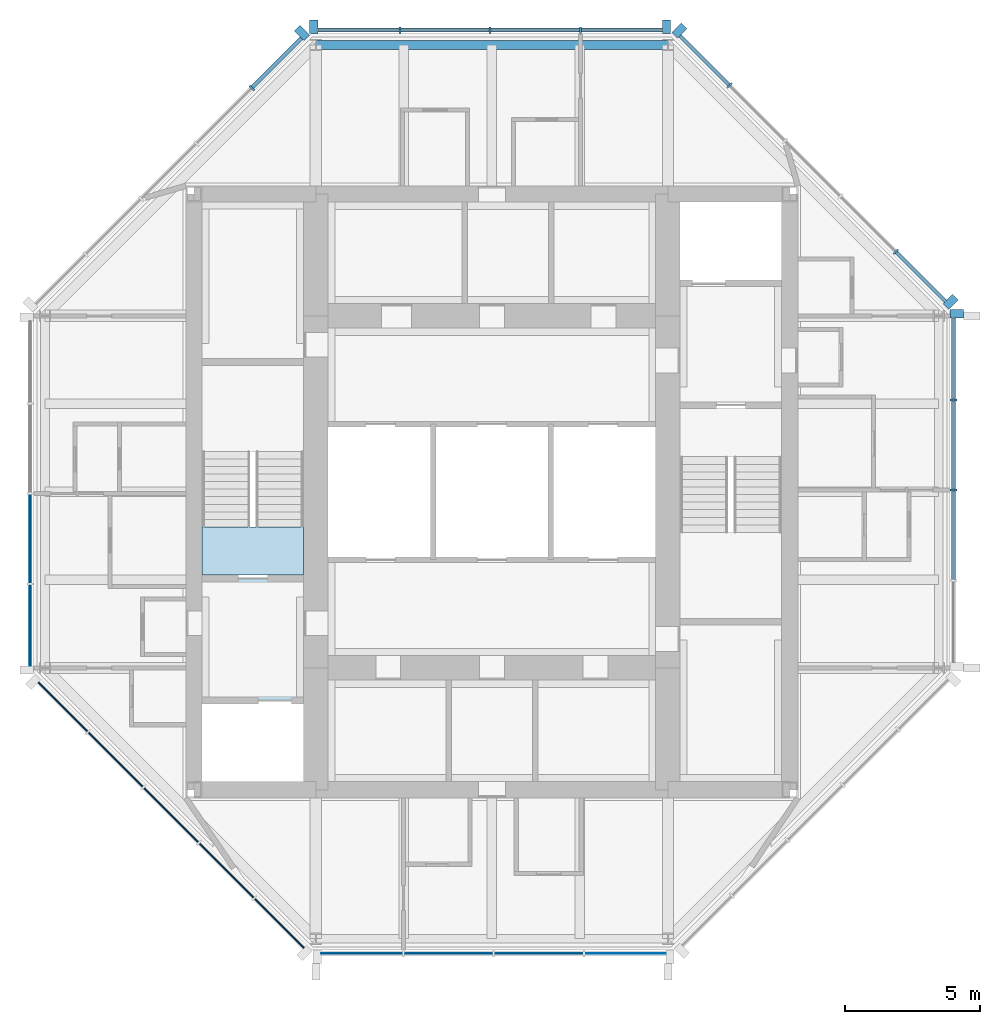
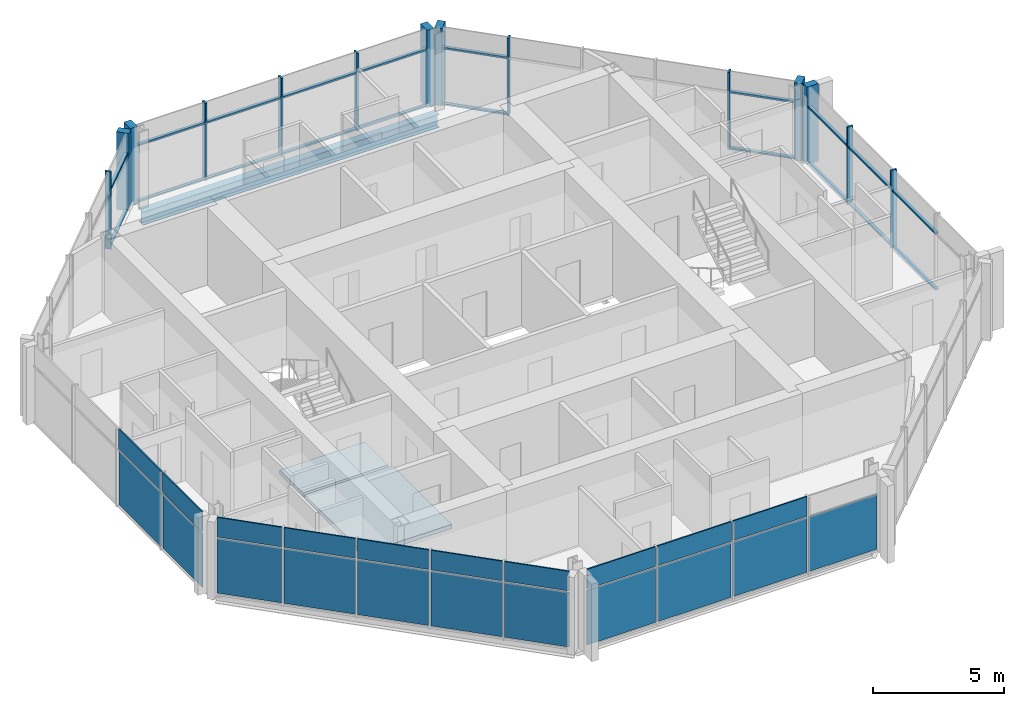
# One storey, part 3 of 9: 34 members, 21 plates, 2 slabs, 1 beam, 8 elements without a shape of their own.
"""IFC4 building model written with IfcOpenShell, lengths in metres."""

import ifcopenshell
import ifcopenshell.guid

model = None  # the IFC model being written
_history = None  # IfcOwnerHistory: only IFC2X3 demands one
_inside = {}  # id of a spatial element -> (the spatial element, [elements in it])
_under = {}  # id of a project, library or spatial element -> (it, [spatial elements below it])
_declared = {}  # id of a project -> (the project, [libraries it declares])
_typed = {}  # id of a type object -> (the type object, [elements of that type])
_made_of = {}  # id of a material, layer set ... -> (it, [elements and type objects made of it])


def new_model(schema):
    """Start an empty IFC model of exactly this schema.

    Asked for "IFC4X3", IfcOpenShell would pick the latest addendum, in which some entities
    have other attributes; the version numbers below select the first issue.
    IFC2X3 requires an IfcOwnerHistory on every rooted entity: one is made here for all.
    """
    global model, _history
    if schema == "IFC4X3":
        model = ifcopenshell.file(schema_version=(4, 3, 0, 0))
    else:
        model = ifcopenshell.file(schema=schema)
    _inside.clear()
    _under.clear()
    _declared.clear()
    _typed.clear()
    _made_of.clear()
    _history = None
    if model.schema == "IFC2X3":
        org = make("IfcOrganization", Name="unknown")
        user = make(
            "IfcPersonAndOrganization",
            ThePerson=make("IfcPerson", FamilyName="unknown"),
            TheOrganization=org,
        )
        app = make(
            "IfcApplication",
            ApplicationDeveloper=org,
            Version="unknown",
            ApplicationFullName="unknown",
            ApplicationIdentifier="unknown",
        )
        _history = make(
            "IfcOwnerHistory",
            OwningUser=user,
            OwningApplication=app,
            ChangeAction="ADDED",
            CreationDate=0,
        )
    return model


def make(cls, **values):
    """One entity of the class cls with the attributes given. An attribute that is None is left unset."""
    return model.create_entity(
        cls, **{name: value for name, value in values.items() if value is not None}
    )


def rooted(cls, **values):
    """An entity with a GlobalId (a new one), such as an element, a storey or a relation."""
    return make(cls, GlobalId=ifcopenshell.guid.new(), OwnerHistory=_history, **values)


def si_unit(unit_type, name, prefix=None):
    """IfcSIUnit, for example si_unit("LENGTHUNIT", "METRE", prefix="MILLI")."""
    return make("IfcSIUnit", UnitType=unit_type, Prefix=prefix, Name=name)


def assignment(units):
    """IfcUnitAssignment: the units of a project."""
    return None if units is None else make("IfcUnitAssignment", Units=units)


def point(xyz):
    """IfcCartesianPoint."""
    return None if xyz is None else make("IfcCartesianPoint", Coordinates=xyz)


def direction(xyz):
    """IfcDirection."""
    return None if xyz is None else make("IfcDirection", DirectionRatios=xyz)


def frame(location, z_axis=None, x_axis=None):
    """IfcAxis2Placement3D, a coordinate frame: its origin and axes. An axis left out is left unset."""
    return make(
        "IfcAxis2Placement3D",
        Location=point(location),
        Axis=direction(z_axis),
        RefDirection=direction(x_axis),
    )


def frame_2d(location, x_axis=None):
    """IfcAxis2Placement2D, a coordinate frame in the plane: its origin and x axis."""
    return make(
        "IfcAxis2Placement2D", Location=point(location), RefDirection=direction(x_axis)
    )


def origin():
    """The frame at (0, 0, 0) with its axes left unset."""
    return frame((0.0, 0.0, 0.0))


def origin_2d():
    """The frame at (0, 0) in the plane with its x axis left unset."""
    return frame_2d((0.0, 0.0))


def place(relative_to, where):
    """IfcLocalPlacement: puts the frame where relative to a parent placement (None: the world)."""
    return make(
        "IfcLocalPlacement", PlacementRelTo=relative_to, RelativePlacement=where
    )


def context(
    kind, dimensions, precision=None, world=None, true_north=None, identifier=None
):
    """IfcGeometricRepresentationContext, for example the 3D "Model" context."""
    return make(
        "IfcGeometricRepresentationContext",
        ContextIdentifier=identifier,
        ContextType=kind,
        CoordinateSpaceDimension=dimensions,
        Precision=precision,
        WorldCoordinateSystem=world,
        TrueNorth=true_north,
    )


def subcontext(parent, identifier, kind, view, scale=None):
    """IfcGeometricRepresentationSubContext, for example "Body" below "Model"."""
    return make(
        "IfcGeometricRepresentationSubContext",
        ContextIdentifier=identifier,
        ContextType=kind,
        ParentContext=parent,
        TargetScale=scale,
        TargetView=view,
    )


def project(units=None, contexts=None):
    """IfcProject with its units and contexts."""
    return rooted(
        "IfcProject",
        Name="project",
        RepresentationContexts=contexts,
        UnitsInContext=assignment(units),
    )


def spatial(cls, under=None, at=None, **own):
    """A site, building, storey or space (cls), placed at a placement, below another one or the project."""
    s = rooted(cls, ObjectPlacement=at, **own)
    if under is not None:
        _under.setdefault(under.id(), (under, []))[1].append(s)
    return s


def polyline(points):
    """IfcPolyline through the points."""
    return make("IfcPolyline", Points=[point(p) for p in points])


def profile(cls, at=None, kind="AREA", **sizes):
    """A parametric profile (cls). Its sizes go by their IFC names, for example OverallWidth=200.0."""
    return make(cls, ProfileType=kind, Position=at, **sizes)


def rectangle(**sizes):
    """IfcRectangleProfileDef."""
    return profile("IfcRectangleProfileDef", **sizes)


def i_section(**sizes):
    """IfcIShapeProfileDef."""
    return profile("IfcIShapeProfileDef", **sizes)


def outline(outer, holes=None, kind="AREA"):
    """IfcArbitraryClosedProfileDef: a profile drawn as a closed curve; with holes, ...WithVoids."""
    if holes is None:
        return make("IfcArbitraryClosedProfileDef", ProfileType=kind, OuterCurve=outer)
    return make(
        "IfcArbitraryProfileDefWithVoids",
        ProfileType=kind,
        OuterCurve=outer,
        InnerCurves=holes,
    )


def extrude(swept, where, along, depth):
    """IfcExtrudedAreaSolid: the profile swept, set in the frame where, extruded along a direction by depth."""
    return make(
        "IfcExtrudedAreaSolid",
        SweptArea=swept,
        Position=where,
        ExtrudedDirection=direction(along),
        Depth=depth,
    )


def shape(context_of_items, identifier, shape_type, items):
    """IfcShapeRepresentation: the items that make up one representation, for example the "Body"."""
    return make(
        "IfcShapeRepresentation",
        ContextOfItems=context_of_items,
        RepresentationIdentifier=identifier,
        RepresentationType=shape_type,
        Items=items,
    )


def material(Name=None, Category=None):
    """IfcMaterial."""
    return make("IfcMaterial", Name=Name, Category=Category)


def layer(
    of_material, thickness, ventilated=None, Name=None, Category=None, Priority=None
):
    """IfcMaterialLayer: one layer of a wall or slab, of a material (None: an air gap)."""
    return make(
        "IfcMaterialLayer",
        Material=of_material,
        LayerThickness=thickness,
        IsVentilated=ventilated,
        Name=Name,
        Category=Category,
        Priority=Priority,
    )


def layer_set(layers, Name=None):
    """IfcMaterialLayerSet."""
    return make("IfcMaterialLayerSet", MaterialLayers=layers, LayerSetName=Name)


def material_profile(
    of_material, cross_section, Name=None, Category=None, Priority=None
):
    """IfcMaterialProfile: a cross section and its material."""
    return make(
        "IfcMaterialProfile",
        Name=Name,
        Material=of_material,
        Profile=cross_section,
        Priority=Priority,
        Category=Category,
    )


def profile_set(profiles, Name=None, composite=None):
    """IfcMaterialProfileSet."""
    return make(
        "IfcMaterialProfileSet",
        Name=Name,
        MaterialProfiles=profiles,
        CompositeProfile=composite,
    )


def made_of(thing, what):
    """Note that an element or type object is made of a material, layer set ...; save() writes the relation."""
    if what is not None:
        _made_of.setdefault(what.id(), (what, []))[1].append(thing)
    return thing


def type_object(cls, material=None, **own):
    """A type object (cls), such as IfcWallType, which elements share."""
    return made_of(rooted(cls, **own), material)


def element(
    cls,
    number,
    at=None,
    inside=None,
    cuts=None,
    type_object=None,
    material=None,
    context=None,
    identifier="Body",
    shape_type=None,
    held_by="IfcProductDefinitionShape",
    body=None,
    shapes=None,
    **own,
):
    """One element of the class cls, such as IfcWall. Its Tag is "e" and its number.

    at: its placement. inside: the storey or other place that contains it. cuts: it is an
    opening in that element (IfcRelVoidsElement). A single representation is given by context,
    identifier, shape_type and body (its items); several are given by shapes. held_by: the class
    of the entity that holds the representations. save() writes the other relations.
    """
    e = rooted(cls, Tag="e%d" % number, ObjectPlacement=at, **own)
    if body is not None:
        shapes = [shape(context, identifier, shape_type, body)]
    if shapes is not None:
        e.Representation = make(held_by, Representations=shapes)
    if inside is not None:
        _inside.setdefault(inside.id(), (inside, []))[1].append(e)
    if cuts is not None:
        rooted(
            "IfcRelVoidsElement", RelatingBuildingElement=cuts, RelatedOpeningElement=e
        )
    if type_object is not None:
        _typed.setdefault(type_object.id(), (type_object, []))[1].append(e)
    return made_of(e, material)


def aggregate(whole, parts):
    """IfcRelAggregates: a whole, such as a stair, and the parts it consists of."""
    return rooted("IfcRelAggregates", RelatingObject=whole, RelatedObjects=parts)


def save(model, path):
    """Write the relations noted so far, then the file.

    IfcRelAggregates (storeys below a building ...), IfcRelContainedInSpatialStructure (elements
    in a storey), IfcRelDefinesByType, IfcRelAssociatesMaterial and IfcRelDeclares: one each for
    every whole, place, type object, material and project.
    """
    for whole, parts in _under.values():
        aggregate(whole, parts)
    for where, things in _inside.values():
        rooted(
            "IfcRelContainedInSpatialStructure",
            RelatedElements=things,
            RelatingStructure=where,
        )
    for kind, things in _typed.values():
        rooted("IfcRelDefinesByType", RelatedObjects=things, RelatingType=kind)
    for what, things in _made_of.values():
        rooted("IfcRelAssociatesMaterial", RelatedObjects=things, RelatingMaterial=what)
    for by, libraries in _declared.values():
        rooted("IfcRelDeclares", RelatingContext=by, RelatedDefinitions=libraries)
    model.write(path)


model = new_model("IFC4")

# Units and contexts
model_context = context("Model", 3, precision=1e-05, world=origin(), true_north=direction((0.0, 1.0)))
body_context = subcontext(model_context, "Body", "Model", "MODEL_VIEW")
ifc_project = project(units=[si_unit("LENGTHUNIT", "METRE"), si_unit("AREAUNIT", "SQUARE_METRE"), si_unit("VOLUMEUNIT", "CUBIC_METRE"), si_unit("PLANEANGLEUNIT", "RADIAN"), si_unit("MASSUNIT", "GRAM", prefix="KILO")], contexts=[model_context])

# Site, building, storey
site_placement = place(None, origin())
site = spatial("IfcSite", under=ifc_project, at=site_placement, CompositionType="ELEMENT")
building_placement = place(site_placement, origin())
building = spatial("IfcBuilding", under=site, at=building_placement, Name="Trevanion Tower", CompositionType="ELEMENT")
storey_placement = place(building_placement, frame((0.0, 0.0, 281.199951171875)))
storey = spatial("IfcBuildingStorey", under=building, at=storey_placement, Name="L69", CompositionType="ELEMENT", Elevation=281.199951171875)

# Curtain wall, members
ifc_material_1 = material(Name="Aluminium and glass", Category="aluminium")
curtain_wall_type = type_object("IfcCurtainWallType", Name="CW4 curtain wall", PredefinedType="USERDEFINED", material=ifc_material_1)
curtain_wall_1_placement = place(storey_placement, origin())
curtain_wall_1 = element("IfcCurtainWall", 1, at=curtain_wall_1_placement, inside=storey, type_object=curtain_wall_type, Name="CW4 L69 0", ObjectType="UNITISED CURTAIN WALL", PredefinedType="USERDEFINED")
ifc_material_2 = material(Name="Aluminium extrusion, anodised bronze", Category="aluminium")
ifc_material_profile_1 = material_profile(ifc_material_2, rectangle(XDim=0.074951171875, YDim=0.25, at=origin_2d()), Name="CW4 mullion")
ifc_profile_set_1 = profile_set([ifc_material_profile_1], Name="Aluminium extrusion, anodised bronze")
member_type_1 = type_object("IfcMemberType", Name="CW4 mullion", PredefinedType="MULLION", material=ifc_profile_set_1)
member_1_placement = place(storey_placement, frame((17.050048828125, 0.06494140625, -0.18994140625), z_axis=(0.0, 0.0, 1.0), x_axis=(0.0, 1.0, 0.0)))
member_1 = element("IfcMember", 2, at=member_1_placement, type_object=member_type_1, Name="CW4 mullion 3", PredefinedType="MULLION", context=body_context, shape_type="SweptSolid", body=[
    extrude(rectangle(XDim=0.074951171875, YDim=0.25, at=origin_2d()), origin(), (0.0, 0.0, 1.0), 3.60009765625),
])
member_2_placement = place(storey_placement, frame((17.050048828125, 3.396484375, -0.18994140625), z_axis=(0.0, 0.0, 1.0), x_axis=(0.0, 1.0, 0.0)))
member_2 = element("IfcMember", 3, at=member_2_placement, type_object=member_type_1, Name="CW4 mullion 4", PredefinedType="MULLION", context=body_context, shape_type="SweptSolid", body=[
    extrude(rectangle(XDim=0.074951171875, YDim=0.25, at=origin_2d()), origin(), (0.0, 0.0, 1.0), 3.60009765625),
])

curtain_wall_2_placement = place(storey_placement, origin())
curtain_wall_2 = element("IfcCurtainWall", 4, at=curtain_wall_2_placement, inside=storey, type_object=curtain_wall_type, Name="CW4 L69 1", ObjectType="UNITISED CURTAIN WALL", PredefinedType="USERDEFINED")
member_3_placement = place(storey_placement, frame((14.912109375, 8.86572265625, -0.18994140625), z_axis=(0.0, 0.0, 1.0), x_axis=(-0.707106781187, 0.707106781187, 0.0)))
member_3 = element("IfcMember", 5, at=member_3_placement, type_object=member_type_1, Name="CW4 mullion 2", PredefinedType="MULLION", context=body_context, shape_type="SweptSolid", body=[
    extrude(rectangle(XDim=0.074951171875, YDim=0.25, at=origin_2d()), origin(), (0.0, 0.0, 1.0), 3.60009765625),
])
member_4_placement = place(storey_placement, frame((8.77392578125, 15.00390625, -0.18994140625), z_axis=(0.0, 0.0, 1.0), x_axis=(-0.707106781187, 0.707106781187, 0.0)))
member_4 = element("IfcMember", 6, at=member_4_placement, type_object=member_type_1, Name="CW4 mullion 5", PredefinedType="MULLION", context=body_context, shape_type="SweptSolid", body=[
    extrude(rectangle(XDim=0.074951171875, YDim=0.25, at=origin_2d()), origin(), (0.0, 0.0, 1.0), 3.60009765625),
])

curtain_wall_3_placement = place(storey_placement, origin())
curtain_wall_3 = element("IfcCurtainWall", 7, at=curtain_wall_3_placement, inside=storey, type_object=curtain_wall_type, Name="CW4 L69 2", ObjectType="UNITISED CURTAIN WALL", PredefinedType="USERDEFINED")
member_5_placement = place(storey_placement, frame((3.266357421875, 17.050048828125, -0.18994140625), z_axis=(0.0, 0.0, 1.0), x_axis=(-1.0, 0.0, 0.0)))
member_5 = element("IfcMember", 8, at=member_5_placement, type_object=member_type_1, Name="CW4 mullion 2", PredefinedType="MULLION", context=body_context, shape_type="SweptSolid", body=[
    extrude(rectangle(XDim=0.074951171875, YDim=0.25, at=origin_2d()), origin(), (0.0, 0.0, 1.0), 3.60009765625),
])
member_6_placement = place(storey_placement, frame((-0.06494140625, 17.050048828125, -0.18994140625), z_axis=(0.0, 0.0, 1.0), x_axis=(-1.0, 0.0, 0.0)))
member_6 = element("IfcMember", 9, at=member_6_placement, type_object=member_type_1, Name="CW4 mullion 3", PredefinedType="MULLION", context=body_context, shape_type="SweptSolid", body=[
    extrude(rectangle(XDim=0.074951171875, YDim=0.25, at=origin_2d()), origin(), (0.0, 0.0, 1.0), 3.60009765625),
])
member_7_placement = place(storey_placement, frame((-3.396484375, 17.050048828125, -0.18994140625), z_axis=(0.0, 0.0, 1.0), x_axis=(-1.0, 0.0, 0.0)))
member_7 = element("IfcMember", 10, at=member_7_placement, type_object=member_type_1, Name="CW4 mullion 4", PredefinedType="MULLION", context=body_context, shape_type="SweptSolid", body=[
    extrude(rectangle(XDim=0.074951171875, YDim=0.25, at=origin_2d()), origin(), (0.0, 0.0, 1.0), 3.60009765625),
])

# Curtain wall, member
curtain_wall_4_placement = place(storey_placement, origin())
curtain_wall_4 = element("IfcCurtainWall", 11, at=curtain_wall_4_placement, inside=storey, type_object=curtain_wall_type, Name="CW4 L69 3", ObjectType="UNITISED CURTAIN WALL", PredefinedType="USERDEFINED")
member_8_placement = place(storey_placement, frame((-8.86572265625, 14.912109375, -0.18994140625), z_axis=(0.0, 0.0, 1.0), x_axis=(-0.707106781187, -0.707106781187, 0.0)))
member_8 = element("IfcMember", 12, at=member_8_placement, type_object=member_type_1, Name="CW4 mullion 2", PredefinedType="MULLION", context=body_context, shape_type="SweptSolid", body=[
    extrude(rectangle(XDim=0.074951171875, YDim=0.25, at=origin_2d()), origin(), (0.0, 0.0, 1.0), 3.60009765625),
])

# Member
ifc_material_3 = material(Name="Aluminium extrusion, anodised bronze", Category="aluminium")
ifc_material_profile_2 = material_profile(ifc_material_3, rectangle(XDim=0.300048828125, YDim=0.5, at=origin_2d()), Name="CW4 pier mullion")
ifc_profile_set_2 = profile_set([ifc_material_profile_2], Name="Aluminium extrusion, anodised bronze")
member_type_2 = type_object("IfcMemberType", Name="CW4 pier mullion", PredefinedType="MULLION", material=ifc_profile_set_2)
member_9_placement = place(storey_placement, frame((17.175048828125, 6.577880859375, -0.18994140625), z_axis=(0.0, 0.0, 1.0), x_axis=(0.0, 1.0, 0.0)))
member_9 = element("IfcMember", 13, at=member_9_placement, type_object=member_type_2, Name="CW4 pier mullion 5", PredefinedType="MULLION", context=body_context, shape_type="SweptSolid", body=[
    extrude(rectangle(XDim=0.300048828125, YDim=0.5, at=origin_2d()), origin(), (0.0, 0.0, 1.0), 3.60009765625),
])

member_10_placement = place(storey_placement, frame((16.9404296875, 7.01416015625, -0.18994140625), z_axis=(0.0, 0.0, 1.0), x_axis=(-0.707106781187, 0.707106781187, 0.0)))
member_10 = element("IfcMember", 14, at=member_10_placement, type_object=member_type_2, Name="CW4 pier mullion 1", PredefinedType="MULLION", context=body_context, shape_type="SweptSolid", body=[
    extrude(rectangle(XDim=0.300048828125, YDim=0.5, at=origin_2d()), origin(), (0.0, 0.0, 1.0), 3.60009765625),
])

member_11_placement = place(storey_placement, frame((6.92236328125, 17.0322265625, -0.18994140625), z_axis=(0.0, 0.0, 1.0), x_axis=(-0.707106781187, 0.707106781187, 0.0)))
member_11 = element("IfcMember", 15, at=member_11_placement, type_object=member_type_2, Name="CW4 pier mullion 6", PredefinedType="MULLION", context=body_context, shape_type="SweptSolid", body=[
    extrude(rectangle(XDim=0.300048828125, YDim=0.5, at=origin_2d()), origin(), (0.0, 0.0, 1.0), 3.60009765625),
])

member_12_placement = place(storey_placement, frame((6.44775390625, 17.175048828125, -0.18994140625), z_axis=(0.0, 0.0, 1.0), x_axis=(-1.0, 0.0, 0.0)))
member_12 = element("IfcMember", 16, at=member_12_placement, type_object=member_type_2, Name="CW4 pier mullion 1", PredefinedType="MULLION", context=body_context, shape_type="SweptSolid", body=[
    extrude(rectangle(XDim=0.300048828125, YDim=0.5, at=origin_2d()), origin(), (0.0, 0.0, 1.0), 3.60009765625),
])

member_13_placement = place(storey_placement, frame((-6.577880859375, 17.175048828125, -0.18994140625), z_axis=(0.0, 0.0, 1.0), x_axis=(-1.0, 0.0, 0.0)))
member_13 = element("IfcMember", 17, at=member_13_placement, type_object=member_type_2, Name="CW4 pier mullion 5", PredefinedType="MULLION", context=body_context, shape_type="SweptSolid", body=[
    extrude(rectangle(XDim=0.300048828125, YDim=0.5, at=origin_2d()), origin(), (0.0, 0.0, 1.0), 3.60009765625),
])

member_14_placement = place(storey_placement, frame((-7.01416015625, 16.9404296875, -0.18994140625), z_axis=(0.0, 0.0, 1.0), x_axis=(-0.707106781187, -0.707106781187, 0.0)))
member_14 = element("IfcMember", 18, at=member_14_placement, type_object=member_type_2, Name="CW4 pier mullion 1", PredefinedType="MULLION", context=body_context, shape_type="SweptSolid", body=[
    extrude(rectangle(XDim=0.300048828125, YDim=0.5, at=origin_2d()), origin(), (0.0, 0.0, 1.0), 3.60009765625),
])

ifc_material_4 = material(Name="Aluminium extrusion, anodised bronze", Category="aluminium")
ifc_material_profile_3 = material_profile(ifc_material_4, rectangle(XDim=0.14990234375, YDim=0.074951171875, at=origin_2d()), Name="CW4 transom")
ifc_profile_set_3 = profile_set([ifc_material_profile_3], Name="Aluminium extrusion, anodised bronze")
member_type_3 = type_object("IfcMemberType", Name="CW4 transom", PredefinedType="USERDEFINED", material=ifc_profile_set_3)
member_15_placement = place(storey_placement, frame((17.050048828125, -3.22900390625, -0.15234375), z_axis=(0.0, 1.0, 0.0), x_axis=(-1.0, 0.0, 0.0)))
member_15 = element("IfcMember", 19, at=member_15_placement, type_object=member_type_3, Name="CW4 transom 2.1", ObjectType="TRANSOM", PredefinedType="USERDEFINED", context=body_context, shape_type="SweptSolid", body=[
    extrude(rectangle(XDim=0.14990234375, YDim=0.074951171875, at=origin_2d()), origin(), (0.0, 0.0, 1.0), 3.256591796875),
])

member_16_placement = place(storey_placement, frame((17.050048828125, -3.22900390625, 2.4599609375), z_axis=(0.0, 1.0, 0.0), x_axis=(-1.0, 0.0, 0.0)))
member_16 = element("IfcMember", 20, at=member_16_placement, type_object=member_type_3, Name="CW4 transom 2.2", ObjectType="TRANSOM", PredefinedType="USERDEFINED", context=body_context, shape_type="SweptSolid", body=[
    extrude(rectangle(XDim=0.14990234375, YDim=0.074951171875, at=origin_2d()), origin(), (0.0, 0.0, 1.0), 3.256591796875),
])

member_17_placement = place(storey_placement, frame((17.050048828125, 0.1025390625, -0.15234375), z_axis=(0.0, 1.0, 0.0), x_axis=(-1.0, 0.0, 0.0)))
member_17 = element("IfcMember", 21, at=member_17_placement, type_object=member_type_3, Name="CW4 transom 3.1", ObjectType="TRANSOM", PredefinedType="USERDEFINED", context=body_context, shape_type="SweptSolid", body=[
    extrude(rectangle(XDim=0.14990234375, YDim=0.074951171875, at=origin_2d()), origin(), (0.0, 0.0, 1.0), 3.25634765625),
])

member_18_placement = place(storey_placement, frame((17.050048828125, 0.1025390625, 2.4599609375), z_axis=(0.0, 1.0, 0.0), x_axis=(-1.0, 0.0, 0.0)))
member_18 = element("IfcMember", 22, at=member_18_placement, type_object=member_type_3, Name="CW4 transom 3.2", ObjectType="TRANSOM", PredefinedType="USERDEFINED", context=body_context, shape_type="SweptSolid", body=[
    extrude(rectangle(XDim=0.14990234375, YDim=0.074951171875, at=origin_2d()), origin(), (0.0, 0.0, 1.0), 3.25634765625),
])

member_19_placement = place(storey_placement, frame((17.050048828125, 3.433837890625, -0.15234375), z_axis=(0.0, 1.0, 0.0), x_axis=(-1.0, 0.0, 0.0)))
member_19 = element("IfcMember", 23, at=member_19_placement, type_object=member_type_3, Name="CW4 transom 4.1", ObjectType="TRANSOM", PredefinedType="USERDEFINED", context=body_context, shape_type="SweptSolid", body=[
    extrude(rectangle(XDim=0.14990234375, YDim=0.074951171875, at=origin_2d()), origin(), (0.0, 0.0, 1.0), 2.993896484375),
])

member_20_placement = place(storey_placement, frame((17.050048828125, 3.433837890625, 2.4599609375), z_axis=(0.0, 1.0, 0.0), x_axis=(-1.0, 0.0, 0.0)))
member_20 = element("IfcMember", 24, at=member_20_placement, type_object=member_type_3, Name="CW4 transom 4.2", ObjectType="TRANSOM", PredefinedType="USERDEFINED", context=body_context, shape_type="SweptSolid", body=[
    extrude(rectangle(XDim=0.14990234375, YDim=0.074951171875, at=origin_2d()), origin(), (0.0, 0.0, 1.0), 2.993896484375),
])

aggregate(curtain_wall_1, [member_1, member_2, member_9, member_15, member_16, member_17, member_18, member_19, member_20])

member_21_placement = place(storey_placement, frame((16.745849609375, 7.031982421875, -0.15234375), z_axis=(-0.707106781187, 0.707106781187, 0.0), x_axis=(-0.707106781187, -0.707106781187, 0.0)))
member_21 = element("IfcMember", 25, at=member_21_placement, type_object=member_type_3, Name="CW4 transom 1.1", ObjectType="TRANSOM", PredefinedType="USERDEFINED", context=body_context, shape_type="SweptSolid", body=[
    extrude(rectangle(XDim=0.14990234375, YDim=0.074951171875, at=origin_2d()), origin(), (0.0, 0.0, 1.0), 2.555908203125),
])

member_22_placement = place(storey_placement, frame((16.745849609375, 7.031982421875, 2.4599609375), z_axis=(-0.707106781187, 0.707106781187, 0.0), x_axis=(-0.707106781187, -0.707106781187, 0.0)))
member_22 = element("IfcMember", 26, at=member_22_placement, type_object=member_type_3, Name="CW4 transom 1.2", ObjectType="TRANSOM", PredefinedType="USERDEFINED", context=body_context, shape_type="SweptSolid", body=[
    extrude(rectangle(XDim=0.14990234375, YDim=0.074951171875, at=origin_2d()), origin(), (0.0, 0.0, 1.0), 2.555908203125),
])

member_23_placement = place(storey_placement, frame((8.747314453125, 15.030517578125, -0.15234375), z_axis=(-0.707106781187, 0.707106781187, 0.0), x_axis=(-0.707106781187, -0.707106781187, 0.0)))
member_23 = element("IfcMember", 27, at=member_23_placement, type_object=member_type_3, Name="CW4 transom 5.1", ObjectType="TRANSOM", PredefinedType="USERDEFINED", context=body_context, shape_type="SweptSolid", body=[
    extrude(rectangle(XDim=0.14990234375, YDim=0.074951171875, at=origin_2d()), origin(), (0.0, 0.0, 1.0), 2.555908203125),
])

member_24_placement = place(storey_placement, frame((8.747314453125, 15.030517578125, 2.4599609375), z_axis=(-0.707106781187, 0.707106781187, 0.0), x_axis=(-0.707106781187, -0.707106781187, 0.0)))
member_24 = element("IfcMember", 28, at=member_24_placement, type_object=member_type_3, Name="CW4 transom 5.2", ObjectType="TRANSOM", PredefinedType="USERDEFINED", context=body_context, shape_type="SweptSolid", body=[
    extrude(rectangle(XDim=0.14990234375, YDim=0.074951171875, at=origin_2d()), origin(), (0.0, 0.0, 1.0), 2.555908203125),
])

aggregate(curtain_wall_2, [member_10, member_3, member_4, member_11, member_21, member_22, member_23, member_24])

member_25_placement = place(storey_placement, frame((6.2978515625, 17.050048828125, -0.15234375), z_axis=(-1.0, 0.0, 0.0), x_axis=(0.0, -1.0, 0.0)))
member_25 = element("IfcMember", 29, at=member_25_placement, type_object=member_type_3, Name="CW4 transom 1.1", ObjectType="TRANSOM", PredefinedType="USERDEFINED", context=body_context, shape_type="SweptSolid", body=[
    extrude(rectangle(XDim=0.14990234375, YDim=0.074951171875, at=origin_2d()), origin(), (0.0, 0.0, 1.0), 2.993896484375),
])

member_26_placement = place(storey_placement, frame((6.2978515625, 17.050048828125, 2.4599609375), z_axis=(-1.0, 0.0, 0.0), x_axis=(0.0, -1.0, 0.0)))
member_26 = element("IfcMember", 30, at=member_26_placement, type_object=member_type_3, Name="CW4 transom 1.2", ObjectType="TRANSOM", PredefinedType="USERDEFINED", context=body_context, shape_type="SweptSolid", body=[
    extrude(rectangle(XDim=0.14990234375, YDim=0.074951171875, at=origin_2d()), origin(), (0.0, 0.0, 1.0), 2.993896484375),
])

member_27_placement = place(storey_placement, frame((3.22900390625, 17.050048828125, -0.15234375), z_axis=(-1.0, 0.0, 0.0), x_axis=(0.0, -1.0, 0.0)))
member_27 = element("IfcMember", 31, at=member_27_placement, type_object=member_type_3, Name="CW4 transom 2.1", ObjectType="TRANSOM", PredefinedType="USERDEFINED", context=body_context, shape_type="SweptSolid", body=[
    extrude(rectangle(XDim=0.14990234375, YDim=0.074951171875, at=origin_2d()), origin(), (0.0, 0.0, 1.0), 3.256591796875),
])

member_28_placement = place(storey_placement, frame((3.22900390625, 17.050048828125, 2.4599609375), z_axis=(-1.0, 0.0, 0.0), x_axis=(0.0, -1.0, 0.0)))
member_28 = element("IfcMember", 32, at=member_28_placement, type_object=member_type_3, Name="CW4 transom 2.2", ObjectType="TRANSOM", PredefinedType="USERDEFINED", context=body_context, shape_type="SweptSolid", body=[
    extrude(rectangle(XDim=0.14990234375, YDim=0.074951171875, at=origin_2d()), origin(), (0.0, 0.0, 1.0), 3.256591796875),
])

member_29_placement = place(storey_placement, frame((-0.1025390625, 17.050048828125, -0.15234375), z_axis=(-1.0, 0.0, 0.0), x_axis=(0.0, -1.0, 0.0)))
member_29 = element("IfcMember", 33, at=member_29_placement, type_object=member_type_3, Name="CW4 transom 3.1", ObjectType="TRANSOM", PredefinedType="USERDEFINED", context=body_context, shape_type="SweptSolid", body=[
    extrude(rectangle(XDim=0.14990234375, YDim=0.074951171875, at=origin_2d()), origin(), (0.0, 0.0, 1.0), 3.25634765625),
])

member_30_placement = place(storey_placement, frame((-0.1025390625, 17.050048828125, 2.4599609375), z_axis=(-1.0, 0.0, 0.0), x_axis=(0.0, -1.0, 0.0)))
member_30 = element("IfcMember", 34, at=member_30_placement, type_object=member_type_3, Name="CW4 transom 3.2", ObjectType="TRANSOM", PredefinedType="USERDEFINED", context=body_context, shape_type="SweptSolid", body=[
    extrude(rectangle(XDim=0.14990234375, YDim=0.074951171875, at=origin_2d()), origin(), (0.0, 0.0, 1.0), 3.25634765625),
])

member_31_placement = place(storey_placement, frame((-3.433837890625, 17.050048828125, -0.15234375), z_axis=(-1.0, 0.0, 0.0), x_axis=(0.0, -1.0, 0.0)))
member_31 = element("IfcMember", 35, at=member_31_placement, type_object=member_type_3, Name="CW4 transom 4.1", ObjectType="TRANSOM", PredefinedType="USERDEFINED", context=body_context, shape_type="SweptSolid", body=[
    extrude(rectangle(XDim=0.14990234375, YDim=0.074951171875, at=origin_2d()), origin(), (0.0, 0.0, 1.0), 2.993896484375),
])

member_32_placement = place(storey_placement, frame((-3.433837890625, 17.050048828125, 2.4599609375), z_axis=(-1.0, 0.0, 0.0), x_axis=(0.0, -1.0, 0.0)))
member_32 = element("IfcMember", 36, at=member_32_placement, type_object=member_type_3, Name="CW4 transom 4.2", ObjectType="TRANSOM", PredefinedType="USERDEFINED", context=body_context, shape_type="SweptSolid", body=[
    extrude(rectangle(XDim=0.14990234375, YDim=0.074951171875, at=origin_2d()), origin(), (0.0, 0.0, 1.0), 2.993896484375),
])

aggregate(curtain_wall_3, [member_12, member_5, member_6, member_7, member_13, member_25, member_26, member_27, member_28, member_29, member_30, member_31, member_32])

member_33_placement = place(storey_placement, frame((-7.031982421875, 16.745849609375, -0.15234375), z_axis=(-0.707106781187, -0.707106781187, 0.0), x_axis=(0.707106781187, -0.707106781187, 0.0)))
member_33 = element("IfcMember", 37, at=member_33_placement, type_object=member_type_3, Name="CW4 transom 1.1", ObjectType="TRANSOM", PredefinedType="USERDEFINED", context=body_context, shape_type="SweptSolid", body=[
    extrude(rectangle(XDim=0.14990234375, YDim=0.074951171875, at=origin_2d()), origin(), (0.0, 0.0, 1.0), 2.555908203125),
])

member_34_placement = place(storey_placement, frame((-7.031982421875, 16.745849609375, 2.4599609375), z_axis=(-0.707106781187, -0.707106781187, 0.0), x_axis=(0.707106781187, -0.707106781187, 0.0)))
member_34 = element("IfcMember", 38, at=member_34_placement, type_object=member_type_3, Name="CW4 transom 1.2", ObjectType="TRANSOM", PredefinedType="USERDEFINED", context=body_context, shape_type="SweptSolid", body=[
    extrude(rectangle(XDim=0.14990234375, YDim=0.074951171875, at=origin_2d()), origin(), (0.0, 0.0, 1.0), 2.555908203125),
])

aggregate(curtain_wall_4, [member_14, member_8, member_33, member_34])

# Beam
ifc_material_5 = material(Name="Steel ASTM A992 Grade 50", Category="steel")
ifc_material_profile_4 = material_profile(ifc_material_5, i_section(OverallWidth=0.32763671875, OverallDepth=0.622314453125, WebThickness=0.015380859375, FlangeThickness=0.0244140625, at=origin_2d()), Name="W24X131")
ifc_profile_set_4 = profile_set([ifc_material_profile_4], Name="Steel ASTM A992 Grade 50")
beam_type = type_object("IfcBeamType", Name="SB12 W24X131", PredefinedType="SPANDREL", material=ifc_profile_set_4)
beam_placement = place(storey_placement, frame((6.5, 16.5, -0.501220703125), z_axis=(-1.0, 0.0, 0.0), x_axis=(0.0, -1.0, 0.0)))
element("IfcBeam", 39, at=beam_placement, inside=storey, type_object=beam_type, Name="SB12 L69", PredefinedType="SPANDREL", context=body_context, shape_type="SweptSolid", body=[
    extrude(i_section(OverallWidth=0.32763671875, OverallDepth=0.622314453125, WebThickness=0.015380859375, FlangeThickness=0.0244140625, at=origin_2d()), origin(), (0.0, 0.0, 1.0), 13.0),
])

# Curtain wall, plates
curtain_wall_5_placement = place(storey_placement, origin())
curtain_wall_5 = element("IfcCurtainWall", 40, at=curtain_wall_5_placement, inside=storey, type_object=curtain_wall_type, Name="CW4 L69 4", ObjectType="UNITISED CURTAIN WALL", PredefinedType="USERDEFINED")
ifc_material_6 = material(Name="Aluminium spandrel panel", Category="aluminium")
ifc_layer_1 = layer(ifc_material_6, 0.06005859375)
ifc_layer_set_1 = layer_set([ifc_layer_1], Name="CW4 spandrel panel")
plate_type_1 = type_object("IfcPlateType", Name="CW4 spandrel panel", PredefinedType="CURTAIN_PANEL", material=ifc_layer_set_1)
plate_1_placement = place(storey_placement, frame((-17.050048828125, -1.730712890625, 2.49755859375), z_axis=(0.0, 0.0, 1.0), x_axis=(0.0, -1.0, 0.0)))
plate_1 = element("IfcPlate", 41, at=plate_1_placement, type_object=plate_type_1, Name="CW4 panel 3.2", PredefinedType="CURTAIN_PANEL", context=body_context, shape_type="SweptSolid", body=[
    extrude(rectangle(XDim=3.25634765625, YDim=0.06005859375, at=origin_2d()), origin(), (0.0, 0.0, 1.0), 0.91259765625),
])
plate_2_placement = place(storey_placement, frame((-17.050048828125, -4.930908203125, 2.49755859375), z_axis=(0.0, 0.0, 1.0), x_axis=(0.0, -1.0, 0.0)))
plate_2 = element("IfcPlate", 42, at=plate_2_placement, type_object=plate_type_1, Name="CW4 panel 4.2", PredefinedType="CURTAIN_PANEL", context=body_context, shape_type="SweptSolid", body=[
    extrude(rectangle(XDim=2.993896484375, YDim=0.06005859375, at=origin_2d()), origin(), (0.0, 0.0, 1.0), 0.91259765625),
])

curtain_wall_6_placement = place(storey_placement, origin())
curtain_wall_6 = element("IfcCurtainWall", 43, at=curtain_wall_6_placement, inside=storey, type_object=curtain_wall_type, Name="CW4 L69 5", ObjectType="UNITISED CURTAIN WALL", PredefinedType="USERDEFINED")
plate_3_placement = place(storey_placement, frame((-15.84228515625, -7.935546875, 2.49755859375), z_axis=(0.0, 0.0, 1.0), x_axis=(0.707106781187, -0.707106781187, 0.0)))
plate_3 = element("IfcPlate", 44, at=plate_3_placement, type_object=plate_type_1, Name="CW4 panel 1.2", PredefinedType="CURTAIN_PANEL", context=body_context, shape_type="SweptSolid", body=[
    extrude(rectangle(XDim=2.55615234375, YDim=0.06005859375, at=origin_2d()), origin(), (0.0, 0.0, 1.0), 0.91259765625),
])
plate_4_placement = place(storey_placement, frame((-13.888916015625, -9.888916015625, 2.49755859375), z_axis=(0.0, 0.0, 1.0), x_axis=(0.707106781187, -0.707106781187, 0.0)))
plate_4 = element("IfcPlate", 45, at=plate_4_placement, type_object=plate_type_1, Name="CW4 panel 2.2", PredefinedType="CURTAIN_PANEL", context=body_context, shape_type="SweptSolid", body=[
    extrude(rectangle(XDim=2.818603515625, YDim=0.06005859375, at=origin_2d()), origin(), (0.0, 0.0, 1.0), 0.91259765625),
])
plate_5_placement = place(storey_placement, frame((-11.843017578125, -11.934814453125, 2.49755859375), z_axis=(0.0, 0.0, 1.0), x_axis=(0.707106781187, -0.707106781187, 0.0)))
plate_5 = element("IfcPlate", 46, at=plate_5_placement, type_object=plate_type_1, Name="CW4 panel 3.2", PredefinedType="CURTAIN_PANEL", context=body_context, shape_type="SweptSolid", body=[
    extrude(rectangle(XDim=2.818603515625, YDim=0.06005859375, at=origin_2d()), origin(), (0.0, 0.0, 1.0), 0.91259765625),
])
plate_6_placement = place(storey_placement, frame((-9.796875, -13.98095703125, 2.49755859375), z_axis=(0.0, 0.0, 1.0), x_axis=(0.707106781187, -0.707106781187, 0.0)))
plate_6 = element("IfcPlate", 47, at=plate_6_placement, type_object=plate_type_1, Name="CW4 panel 4.2", PredefinedType="CURTAIN_PANEL", context=body_context, shape_type="SweptSolid", body=[
    extrude(rectangle(XDim=2.818603515625, YDim=0.06005859375, at=origin_2d()), origin(), (0.0, 0.0, 1.0), 0.91259765625),
])
plate_7_placement = place(storey_placement, frame((-7.84375, -15.93408203125, 2.49755859375), z_axis=(0.0, 0.0, 1.0), x_axis=(0.707106781187, -0.707106781187, 0.0)))
plate_7 = element("IfcPlate", 48, at=plate_7_placement, type_object=plate_type_1, Name="CW4 panel 5.2", PredefinedType="CURTAIN_PANEL", context=body_context, shape_type="SweptSolid", body=[
    extrude(rectangle(XDim=2.55615234375, YDim=0.06005859375, at=origin_2d()), origin(), (0.0, 0.0, 1.0), 0.91259765625),
])

curtain_wall_7_placement = place(storey_placement, origin())
curtain_wall_7 = element("IfcCurtainWall", 49, at=curtain_wall_7_placement, inside=storey, type_object=curtain_wall_type, Name="CW4 L69 6", ObjectType="UNITISED CURTAIN WALL", PredefinedType="USERDEFINED")
plate_8_placement = place(storey_placement, frame((-4.80078125, -17.050048828125, 2.49755859375), z_axis=(0.0, 0.0, 1.0), x_axis=(1.0, 0.0, 0.0)))
plate_8 = element("IfcPlate", 50, at=plate_8_placement, type_object=plate_type_1, Name="CW4 panel 1.2", PredefinedType="CURTAIN_PANEL", context=body_context, shape_type="SweptSolid", body=[
    extrude(rectangle(XDim=2.993896484375, YDim=0.06005859375, at=origin_2d()), origin(), (0.0, 0.0, 1.0), 0.91259765625),
])
plate_9_placement = place(storey_placement, frame((-1.6005859375, -17.050048828125, 2.49755859375), z_axis=(0.0, 0.0, 1.0), x_axis=(1.0, 0.0, 0.0)))
plate_9 = element("IfcPlate", 51, at=plate_9_placement, type_object=plate_type_1, Name="CW4 panel 2.2", PredefinedType="CURTAIN_PANEL", context=body_context, shape_type="SweptSolid", body=[
    extrude(rectangle(XDim=3.25634765625, YDim=0.06005859375, at=origin_2d()), origin(), (0.0, 0.0, 1.0), 0.91259765625),
])
plate_10_placement = place(storey_placement, frame((1.730712890625, -17.050048828125, 2.49755859375), z_axis=(0.0, 0.0, 1.0), x_axis=(1.0, 0.0, 0.0)))
plate_10 = element("IfcPlate", 52, at=plate_10_placement, type_object=plate_type_1, Name="CW4 panel 3.2", PredefinedType="CURTAIN_PANEL", context=body_context, shape_type="SweptSolid", body=[
    extrude(rectangle(XDim=3.25634765625, YDim=0.06005859375, at=origin_2d()), origin(), (0.0, 0.0, 1.0), 0.91259765625),
])

# Plate
ifc_material_7 = material(Name="Insulating glass unit", Category="glass")
ifc_layer_2 = layer(ifc_material_7, 0.028076171875)
ifc_layer_set_2 = layer_set([ifc_layer_2], Name="CW4 vision panel")
plate_type_2 = type_object("IfcPlateType", Name="CW4 vision panel", PredefinedType="CURTAIN_PANEL", material=ifc_layer_set_2)
plate_11_placement = place(storey_placement, frame((-17.050048828125, -1.730712890625, -0.114990234375), z_axis=(0.0, 0.0, 1.0), x_axis=(0.0, -1.0, 0.0)))
plate_11 = element("IfcPlate", 53, at=plate_11_placement, type_object=plate_type_2, Name="CW4 panel 3.1", PredefinedType="CURTAIN_PANEL", context=body_context, shape_type="SweptSolid", body=[
    extrude(rectangle(XDim=3.25634765625, YDim=0.028076171875, at=origin_2d()), origin(), (0.0, 0.0, 1.0), 2.53759765625),
])

plate_12_placement = place(storey_placement, frame((-17.050048828125, -4.930908203125, -0.114990234375), z_axis=(0.0, 0.0, 1.0), x_axis=(0.0, -1.0, 0.0)))
plate_12 = element("IfcPlate", 54, at=plate_12_placement, type_object=plate_type_2, Name="CW4 panel 4.1", PredefinedType="CURTAIN_PANEL", context=body_context, shape_type="SweptSolid", body=[
    extrude(rectangle(XDim=2.993896484375, YDim=0.028076171875, at=origin_2d()), origin(), (0.0, 0.0, 1.0), 2.53759765625),
])

aggregate(curtain_wall_5, [plate_11, plate_1, plate_12, plate_2])

plate_13_placement = place(storey_placement, frame((-15.84228515625, -7.935546875, -0.114990234375), z_axis=(0.0, 0.0, 1.0), x_axis=(0.707106781187, -0.707106781187, 0.0)))
plate_13 = element("IfcPlate", 55, at=plate_13_placement, type_object=plate_type_2, Name="CW4 panel 1.1", PredefinedType="CURTAIN_PANEL", context=body_context, shape_type="SweptSolid", body=[
    extrude(rectangle(XDim=2.55615234375, YDim=0.028076171875, at=origin_2d()), origin(), (0.0, 0.0, 1.0), 2.53759765625),
])

plate_14_placement = place(storey_placement, frame((-13.888916015625, -9.888916015625, -0.114990234375), z_axis=(0.0, 0.0, 1.0), x_axis=(0.707106781187, -0.707106781187, 0.0)))
plate_14 = element("IfcPlate", 56, at=plate_14_placement, type_object=plate_type_2, Name="CW4 panel 2.1", PredefinedType="CURTAIN_PANEL", context=body_context, shape_type="SweptSolid", body=[
    extrude(rectangle(XDim=2.818603515625, YDim=0.028076171875, at=origin_2d()), origin(), (0.0, 0.0, 1.0), 2.53759765625),
])

plate_15_placement = place(storey_placement, frame((-11.843017578125, -11.934814453125, -0.114990234375), z_axis=(0.0, 0.0, 1.0), x_axis=(0.707106781187, -0.707106781187, 0.0)))
plate_15 = element("IfcPlate", 57, at=plate_15_placement, type_object=plate_type_2, Name="CW4 panel 3.1", PredefinedType="CURTAIN_PANEL", context=body_context, shape_type="SweptSolid", body=[
    extrude(rectangle(XDim=2.818603515625, YDim=0.028076171875, at=origin_2d()), origin(), (0.0, 0.0, 1.0), 2.53759765625),
])

plate_16_placement = place(storey_placement, frame((-9.796875, -13.98095703125, -0.114990234375), z_axis=(0.0, 0.0, 1.0), x_axis=(0.707106781187, -0.707106781187, 0.0)))
plate_16 = element("IfcPlate", 58, at=plate_16_placement, type_object=plate_type_2, Name="CW4 panel 4.1", PredefinedType="CURTAIN_PANEL", context=body_context, shape_type="SweptSolid", body=[
    extrude(rectangle(XDim=2.818603515625, YDim=0.028076171875, at=origin_2d()), origin(), (0.0, 0.0, 1.0), 2.53759765625),
])

plate_17_placement = place(storey_placement, frame((-7.84375, -15.93408203125, -0.114990234375), z_axis=(0.0, 0.0, 1.0), x_axis=(0.707106781187, -0.707106781187, 0.0)))
plate_17 = element("IfcPlate", 59, at=plate_17_placement, type_object=plate_type_2, Name="CW4 panel 5.1", PredefinedType="CURTAIN_PANEL", context=body_context, shape_type="SweptSolid", body=[
    extrude(rectangle(XDim=2.55615234375, YDim=0.028076171875, at=origin_2d()), origin(), (0.0, 0.0, 1.0), 2.53759765625),
])

aggregate(curtain_wall_6, [plate_13, plate_3, plate_14, plate_4, plate_15, plate_5, plate_16, plate_6, plate_17, plate_7])

plate_18_placement = place(storey_placement, frame((-4.80078125, -17.050048828125, -0.114990234375), z_axis=(0.0, 0.0, 1.0), x_axis=(1.0, 0.0, 0.0)))
plate_18 = element("IfcPlate", 60, at=plate_18_placement, type_object=plate_type_2, Name="CW4 panel 1.1", PredefinedType="CURTAIN_PANEL", context=body_context, shape_type="SweptSolid", body=[
    extrude(rectangle(XDim=2.993896484375, YDim=0.028076171875, at=origin_2d()), origin(), (0.0, 0.0, 1.0), 2.53759765625),
])

plate_19_placement = place(storey_placement, frame((-1.6005859375, -17.050048828125, -0.114990234375), z_axis=(0.0, 0.0, 1.0), x_axis=(1.0, 0.0, 0.0)))
plate_19 = element("IfcPlate", 61, at=plate_19_placement, type_object=plate_type_2, Name="CW4 panel 2.1", PredefinedType="CURTAIN_PANEL", context=body_context, shape_type="SweptSolid", body=[
    extrude(rectangle(XDim=3.25634765625, YDim=0.028076171875, at=origin_2d()), origin(), (0.0, 0.0, 1.0), 2.53759765625),
])

plate_20_placement = place(storey_placement, frame((1.730712890625, -17.050048828125, -0.114990234375), z_axis=(0.0, 0.0, 1.0), x_axis=(1.0, 0.0, 0.0)))
plate_20 = element("IfcPlate", 62, at=plate_20_placement, type_object=plate_type_2, Name="CW4 panel 3.1", PredefinedType="CURTAIN_PANEL", context=body_context, shape_type="SweptSolid", body=[
    extrude(rectangle(XDim=3.25634765625, YDim=0.028076171875, at=origin_2d()), origin(), (0.0, 0.0, 1.0), 2.53759765625),
])

plate_21_placement = place(storey_placement, frame((4.930908203125, -17.050048828125, -0.114990234375), z_axis=(0.0, 0.0, 1.0), x_axis=(1.0, 0.0, 0.0)))
plate_21 = element("IfcPlate", 63, at=plate_21_placement, type_object=plate_type_2, Name="CW4 panel 4.1", PredefinedType="CURTAIN_PANEL", context=body_context, shape_type="SweptSolid", body=[
    extrude(rectangle(XDim=2.993896484375, YDim=0.028076171875, at=origin_2d()), origin(), (0.0, 0.0, 1.0), 2.53759765625),
])

aggregate(curtain_wall_7, [plate_18, plate_8, plate_19, plate_9, plate_20, plate_10, plate_21])

# Slab
ifc_material_8 = material(Name="Concrete 5,000 psi", Category="concrete")
ifc_layer_3 = layer(ifc_material_8, 0.199951171875)
ifc_layer_set_3 = layer_set([ifc_layer_3], Name="SL2 core floor 200")
slab_type_1 = type_object("IfcSlabType", Name="SL2 core floor 200", PredefinedType="FLOOR", material=ifc_layer_set_3)
slab_1_placement = place(storey_placement, frame((0.0, 0.0, -0.199951171875)))
element("IfcSlab", 64, at=slab_1_placement, inside=storey, type_object=slab_type_1, Name="SL2 L69 core floor 3", PredefinedType="FLOOR", context=body_context, shape_type="SweptSolid", body=[
    extrude(outline(polyline([(-6.830078125, -3.205078125), (-6.830078125, -7.695068359375), (-10.699951171875, -7.695068359375), (-10.699951171875, -3.205078125), (-6.830078125, -3.205078125)])), origin(), (0.0, 0.0, 1.0), 0.199951171875),
])

# Stair, slab
ifc_material_9 = material(Name="Concrete 5,000 psi on steel stringers", Category="concrete")
stair_type = type_object("IfcStairType", Name="ST stair", PredefinedType="HALF_TURN_STAIR", material=ifc_material_9)
stair_placement = place(storey_placement, origin())
stair = element("IfcStair", 65, at=stair_placement, inside=storey, type_object=stair_type, Name="ST2 L69", PredefinedType="HALF_TURN_STAIR")
ifc_material_10 = material(Name="Concrete 5,000 psi in steel pan", Category="concrete")
ifc_layer_4 = layer(ifc_material_10, 0.199951171875)
ifc_layer_set_4 = layer_set([ifc_layer_4], Name="STL stair landing 200")
slab_type_2 = type_object("IfcSlabType", Name="STL stair landing 200", PredefinedType="LANDING", material=ifc_layer_set_4)
slab_2_placement = place(storey_placement, frame((0.0, 0.0, -0.199951171875)))
slab_2 = element("IfcSlab", 66, at=slab_2_placement, type_object=slab_type_2, Name="ST2 landing 1", PredefinedType="LANDING", context=body_context, shape_type="SweptSolid", body=[
    extrude(outline(polyline([(-6.949951171875, -1.300048828125), (-10.699951171875, -1.300048828125), (-10.699951171875, -3.074951171875), (-6.949951171875, -3.074951171875), (-6.949951171875, -1.300048828125)])), origin(), (0.0, 0.0, 1.0), 0.199951171875),
])
aggregate(stair, [slab_2])

save(model, "model.ifc")
